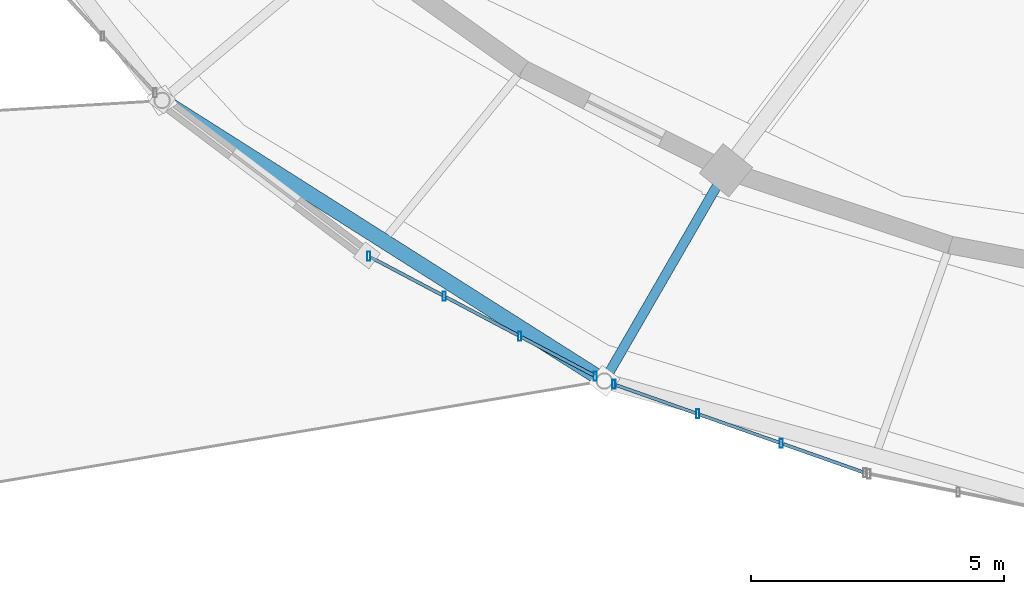
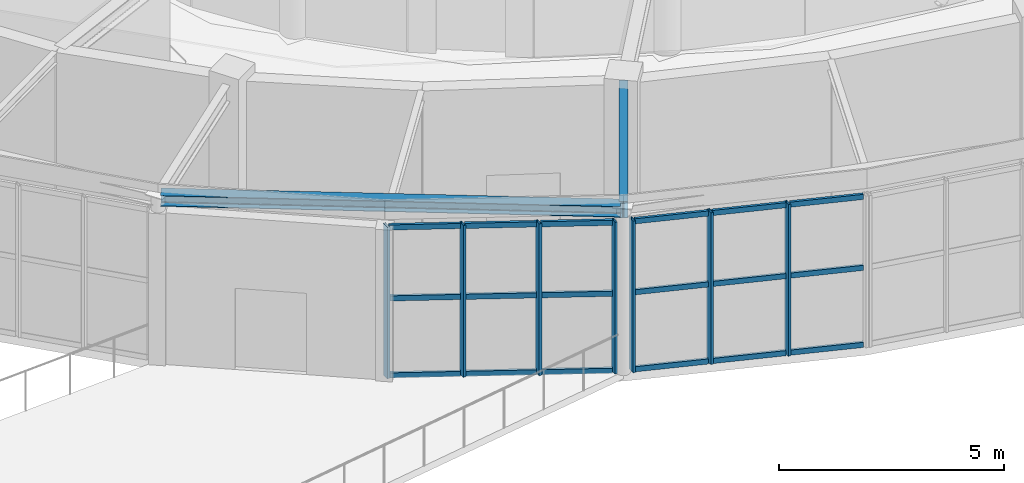
# One storey, part 27 of 108: 25 members, 2 beams, 2 elements without a shape of their own.
"""IFC4 building model written with IfcOpenShell, lengths in metres."""

from ifc_helpers import new_model, si_unit, direction, frame, origin, origin_2d, place, context, subcontext, project, spatial, hollow_rectangle, i_section, extrude, material, material_profile, profile_set, type_object, element, aggregate, save


model = new_model("IFC4")

# Units and contexts
model_context = context("Model", 3, precision=1e-05, world=origin(), true_north=direction((0.0, 1.0)))
body_context = subcontext(model_context, "Body", "Model", "MODEL_VIEW")
ifc_project = project(units=[si_unit("LENGTHUNIT", "METRE"), si_unit("AREAUNIT", "SQUARE_METRE"), si_unit("VOLUMEUNIT", "CUBIC_METRE"), si_unit("PLANEANGLEUNIT", "RADIAN"), si_unit("MASSUNIT", "GRAM", prefix="KILO")], contexts=[model_context])

# Site, building, storey
site_placement = place(None, origin())
site = spatial("IfcSite", under=ifc_project, at=site_placement, CompositionType="ELEMENT")
building_placement = place(site_placement, origin())
building = spatial("IfcBuilding", under=site, at=building_placement, Name="Tarnveldt Headland Concert Hall", CompositionType="ELEMENT")
storey_placement = place(building_placement, frame((0.0, 0.0, 9.60009765625)))
storey = spatial("IfcBuildingStorey", under=building, at=storey_placement, Name="L02", CompositionType="ELEMENT", Elevation=9.60009765625)

# Curtain wall, members
ifc_material_1 = material(Name="Marine-anodised aluminium EN AW-6063-T6", Category="aluminium")
curtain_wall_type = type_object("IfcCurtainWallType", Name="CW-F3", PredefinedType="NOTDEFINED", material=ifc_material_1)
curtain_wall_1_placement = place(storey_placement, origin())
curtain_wall_1 = element("IfcCurtainWall", 1, at=curtain_wall_1_placement, inside=storey, type_object=curtain_wall_type, Name="Curtain wall CW-L02-082", PredefinedType="NOTDEFINED")
ifc_material_profile_1 = material_profile(ifc_material_1, hollow_rectangle(XDim=0.06494140625, YDim=0.179931640625, WallThickness=0.00390625, at=origin_2d()), Name="ALU MULLION 65x180x4", Category="aluminium")
ifc_profile_set_1 = profile_set([ifc_material_profile_1], Name="Marine-anodised aluminium EN AW-6063-T6")
member_type_1 = type_object("IfcMemberType", Name="ML-180", PredefinedType="MULLION", material=ifc_profile_set_1)
member_1_placement = place(storey_placement, frame((62.451904296875, 35.4833984375, 0.0), z_axis=(0.0, 0.0, 1.0), x_axis=(1.0, 0.0, 0.0)))
member_1 = element("IfcMember", 2, at=member_1_placement, type_object=member_type_1, Name="Mullion CW-L02-082-1", PredefinedType="MULLION", context=body_context, shape_type="SweptSolid", body=[
    extrude(hollow_rectangle(XDim=0.06494140625, YDim=0.179931640625, WallThickness=0.00390625, at=origin_2d()), origin(), (0.0, 0.0, 1.0), 4.10791015625),
])
member_2_placement = place(storey_placement, frame((63.94189453125, 34.694580078125, 0.0), z_axis=(0.0, 0.0, 1.0), x_axis=(1.0, 0.0, 0.0)))
member_2 = element("IfcMember", 3, at=member_2_placement, type_object=member_type_1, Name="Mullion CW-L02-082-2", PredefinedType="MULLION", context=body_context, shape_type="SweptSolid", body=[
    extrude(hollow_rectangle(XDim=0.06494140625, YDim=0.179931640625, WallThickness=0.00390625, at=origin_2d()), origin(), (0.0, 0.0, 1.0), 4.10791015625),
])
member_3_placement = place(storey_placement, frame((65.431640625, 33.906005859375, 0.0), z_axis=(0.0, 0.0, 1.0), x_axis=(1.0, 0.0, 0.0)))
member_3 = element("IfcMember", 4, at=member_3_placement, type_object=member_type_1, Name="Mullion CW-L02-082-3", PredefinedType="MULLION", context=body_context, shape_type="SweptSolid", body=[
    extrude(hollow_rectangle(XDim=0.06494140625, YDim=0.179931640625, WallThickness=0.00390625, at=origin_2d()), origin(), (0.0, 0.0, 1.0), 4.10791015625),
])
member_4_placement = place(storey_placement, frame((66.92138671875, 33.1171875, 0.0), z_axis=(0.0, 0.0, 1.0), x_axis=(1.0, 0.0, 0.0)))
member_4 = element("IfcMember", 5, at=member_4_placement, type_object=member_type_1, Name="Mullion CW-L02-082-4", PredefinedType="MULLION", context=body_context, shape_type="SweptSolid", body=[
    extrude(hollow_rectangle(XDim=0.06494140625, YDim=0.179931640625, WallThickness=0.00390625, at=origin_2d()), origin(), (0.0, 0.0, 1.0), 4.10791015625),
])

curtain_wall_2_placement = place(storey_placement, origin())
curtain_wall_2 = element("IfcCurtainWall", 6, at=curtain_wall_2_placement, inside=storey, type_object=curtain_wall_type, Name="Curtain wall CW-L02-083", PredefinedType="NOTDEFINED")
member_5_placement = place(storey_placement, frame((67.29052734375, 32.955322265625, 0.0), z_axis=(0.0, 0.0, 1.0), x_axis=(1.0, 0.0, 0.0)))
member_5 = element("IfcMember", 7, at=member_5_placement, type_object=member_type_1, Name="Mullion CW-L02-083-1", PredefinedType="MULLION", context=body_context, shape_type="SweptSolid", body=[
    extrude(hollow_rectangle(XDim=0.06494140625, YDim=0.179931640625, WallThickness=0.00390625, at=origin_2d()), origin(), (0.0, 0.0, 1.0), 4.10791015625),
])
member_6_placement = place(storey_placement, frame((68.941650390625, 32.373291015625, 0.0), z_axis=(0.0, 0.0, 1.0), x_axis=(1.0, 0.0, 0.0)))
member_6 = element("IfcMember", 8, at=member_6_placement, type_object=member_type_1, Name="Mullion CW-L02-083-2", PredefinedType="MULLION", context=body_context, shape_type="SweptSolid", body=[
    extrude(hollow_rectangle(XDim=0.06494140625, YDim=0.179931640625, WallThickness=0.00390625, at=origin_2d()), origin(), (0.0, 0.0, 1.0), 4.10791015625),
])
member_7_placement = place(storey_placement, frame((70.5927734375, 31.791015625, 0.0), z_axis=(0.0, 0.0, 1.0), x_axis=(1.0, 0.0, 0.0)))
member_7 = element("IfcMember", 9, at=member_7_placement, type_object=member_type_1, Name="Mullion CW-L02-083-3", PredefinedType="MULLION", context=body_context, shape_type="SweptSolid", body=[
    extrude(hollow_rectangle(XDim=0.06494140625, YDim=0.179931640625, WallThickness=0.00390625, at=origin_2d()), origin(), (0.0, 0.0, 1.0), 4.10791015625),
])

# Beams
ifc_material_2 = material(Name="Steel S355", Category="steel")
ifc_material_profile_2 = material_profile(ifc_material_2, i_section(OverallWidth=0.300048828125, OverallDepth=0.2900390625, WebThickness=0.008544921875, FlangeThickness=0.013916015625, FilletRadius=0.027099609375, at=origin_2d()), Name="HEA300", Category="steel")
ifc_profile_set_2 = profile_set([ifc_material_profile_2], Name="Steel S355")
beam_type_1 = type_object("IfcBeamType", Name="SB-HEA300", PredefinedType="SPANDREL", material=ifc_profile_set_2)
beam_1_placement = place(storey_placement, frame((58.42431640625, 38.52685546875, 4.4248046875), z_axis=(0.844390967344, -0.535727444012, 0.0), x_axis=(0.535727444012, 0.844390967344, 0.0)))
element("IfcBeam", 10, at=beam_1_placement, inside=storey, type_object=beam_type_1, Name="Framing beam L02-1028", PredefinedType="SPANDREL", context=body_context, shape_type="SweptSolid", body=[
    extrude(i_section(OverallWidth=0.300048828125, OverallDepth=0.2900390625, WebThickness=0.008544921875, FlangeThickness=0.013916015625, FilletRadius=0.027099609375, at=origin_2d()), origin(), (0.0, 0.0, 1.0), 10.21435546875),
])
ifc_material_profile_3 = material_profile(ifc_material_2, i_section(OverallWidth=0.18994140625, OverallDepth=0.449951171875, WebThickness=0.009521484375, FlangeThickness=0.0146484375, FilletRadius=0.02099609375, at=origin_2d()), Name="IPE450", Category="steel")
ifc_profile_set_3 = profile_set([ifc_material_profile_3], Name="Steel S355")
beam_type_2 = type_object("IfcBeamType", Name="SB-IPE450", PredefinedType="BEAM", material=ifc_profile_set_3)
beam_2_placement = place(storey_placement, frame((69.47998046875, 37.14501953125, 4.344970703125), z_axis=(-0.500016218704, -0.866016039709, 0.0), x_axis=(0.866016039709, -0.500016218704, 0.0)))
element("IfcBeam", 11, at=beam_2_placement, inside=storey, type_object=beam_type_2, Name="Framing beam L02-1032", PredefinedType="BEAM", context=body_context, shape_type="SweptSolid", body=[
    extrude(i_section(OverallWidth=0.18994140625, OverallDepth=0.449951171875, WebThickness=0.009521484375, FlangeThickness=0.0146484375, FilletRadius=0.02099609375, at=origin_2d()), origin(), (0.0, 0.0, 1.0), 4.699951171875),
])

# Member
ifc_material_profile_4 = material_profile(ifc_material_1, hollow_rectangle(XDim=0.06494140625, YDim=0.139892578125, WallThickness=0.00390625, at=origin_2d()), Name="ALU TRANSOM 65x140x4", Category="aluminium")
ifc_profile_set_4 = profile_set([ifc_material_profile_4], Name="Marine-anodised aluminium EN AW-6063-T6")
member_type_2 = type_object("IfcMemberType", Name="TR-140", PredefinedType="MEMBER", material=ifc_profile_set_4)
member_8_placement = place(storey_placement, frame((62.4912109375, 35.462646484375, 0.0498046875), z_axis=(0.883821383247, -0.467824499695, 0.0), x_axis=(0.467824499695, 0.883821383247, 0.0)))
member_8 = element("IfcMember", 12, at=member_8_placement, type_object=member_type_2, Name="Transom CW-L02-082-1-1", PredefinedType="MEMBER", context=body_context, shape_type="SweptSolid", body=[
    extrude(hollow_rectangle(XDim=0.06494140625, YDim=0.139892578125, WallThickness=0.00390625, at=origin_2d()), origin(), (0.0, 0.0, 1.0), 1.596923828125),
])

member_9_placement = place(storey_placement, frame((62.4912109375, 35.462646484375, 2.135986328125), z_axis=(0.883821383247, -0.467824499695, 0.0), x_axis=(0.467824499695, 0.883821383247, 0.0)))
member_9 = element("IfcMember", 13, at=member_9_placement, type_object=member_type_2, Name="Transom CW-L02-082-1-2", PredefinedType="MEMBER", context=body_context, shape_type="SweptSolid", body=[
    extrude(hollow_rectangle(XDim=0.06494140625, YDim=0.139892578125, WallThickness=0.00390625, at=origin_2d()), origin(), (0.0, 0.0, 1.0), 1.596923828125),
])

member_10_placement = place(storey_placement, frame((62.4912109375, 35.462646484375, 4.057861328125), z_axis=(0.883821383247, -0.467824499695, 0.0), x_axis=(0.467824499695, 0.883821383247, 0.0)))
member_10 = element("IfcMember", 14, at=member_10_placement, type_object=member_type_2, Name="Transom CW-L02-082-1-3", PredefinedType="MEMBER", context=body_context, shape_type="SweptSolid", body=[
    extrude(hollow_rectangle(XDim=0.06494140625, YDim=0.139892578125, WallThickness=0.00390625, at=origin_2d()), origin(), (0.0, 0.0, 1.0), 1.596923828125),
])

member_11_placement = place(storey_placement, frame((63.981201171875, 34.673828125, 0.0498046875), z_axis=(0.883787916347, -0.467887720419, 0.0), x_axis=(0.467887720419, 0.883787916347, 0.0)))
member_11 = element("IfcMember", 15, at=member_11_placement, type_object=member_type_2, Name="Transom CW-L02-082-2-1", PredefinedType="MEMBER", context=body_context, shape_type="SweptSolid", body=[
    extrude(hollow_rectangle(XDim=0.06494140625, YDim=0.139892578125, WallThickness=0.00390625, at=origin_2d()), origin(), (0.0, 0.0, 1.0), 1.5966796875),
])

member_12_placement = place(storey_placement, frame((63.981201171875, 34.673828125, 2.135986328125), z_axis=(0.883787916347, -0.467887720419, 0.0), x_axis=(0.467887720419, 0.883787916347, 0.0)))
member_12 = element("IfcMember", 16, at=member_12_placement, type_object=member_type_2, Name="Transom CW-L02-082-2-2", PredefinedType="MEMBER", context=body_context, shape_type="SweptSolid", body=[
    extrude(hollow_rectangle(XDim=0.06494140625, YDim=0.139892578125, WallThickness=0.00390625, at=origin_2d()), origin(), (0.0, 0.0, 1.0), 1.5966796875),
])

member_13_placement = place(storey_placement, frame((63.981201171875, 34.673828125, 4.057861328125), z_axis=(0.883787916347, -0.467887720419, 0.0), x_axis=(0.467887720419, 0.883787916347, 0.0)))
member_13 = element("IfcMember", 17, at=member_13_placement, type_object=member_type_2, Name="Transom CW-L02-082-2-3", PredefinedType="MEMBER", context=body_context, shape_type="SweptSolid", body=[
    extrude(hollow_rectangle(XDim=0.06494140625, YDim=0.139892578125, WallThickness=0.00390625, at=origin_2d()), origin(), (0.0, 0.0, 1.0), 1.5966796875),
])

member_14_placement = place(storey_placement, frame((65.470947265625, 33.885009765625, 0.0498046875), z_axis=(0.883787916347, -0.467887720419, 0.0), x_axis=(0.467887720419, 0.883787916347, 0.0)))
member_14 = element("IfcMember", 18, at=member_14_placement, type_object=member_type_2, Name="Transom CW-L02-082-3-1", PredefinedType="MEMBER", context=body_context, shape_type="SweptSolid", body=[
    extrude(hollow_rectangle(XDim=0.06494140625, YDim=0.139892578125, WallThickness=0.00390625, at=origin_2d()), origin(), (0.0, 0.0, 1.0), 1.5966796875),
])

member_15_placement = place(storey_placement, frame((65.470947265625, 33.885009765625, 2.135986328125), z_axis=(0.883787916347, -0.467887720419, 0.0), x_axis=(0.467887720419, 0.883787916347, 0.0)))
member_15 = element("IfcMember", 19, at=member_15_placement, type_object=member_type_2, Name="Transom CW-L02-082-3-2", PredefinedType="MEMBER", context=body_context, shape_type="SweptSolid", body=[
    extrude(hollow_rectangle(XDim=0.06494140625, YDim=0.139892578125, WallThickness=0.00390625, at=origin_2d()), origin(), (0.0, 0.0, 1.0), 1.5966796875),
])

member_16_placement = place(storey_placement, frame((65.470947265625, 33.885009765625, 4.057861328125), z_axis=(0.883787916347, -0.467887720419, 0.0), x_axis=(0.467887720419, 0.883787916347, 0.0)))
member_16 = element("IfcMember", 20, at=member_16_placement, type_object=member_type_2, Name="Transom CW-L02-082-3-3", PredefinedType="MEMBER", context=body_context, shape_type="SweptSolid", body=[
    extrude(hollow_rectangle(XDim=0.06494140625, YDim=0.139892578125, WallThickness=0.00390625, at=origin_2d()), origin(), (0.0, 0.0, 1.0), 1.5966796875),
])

aggregate(curtain_wall_1, [member_1, member_2, member_3, member_4, member_8, member_9, member_10, member_11, member_12, member_13, member_14, member_15, member_16])

member_17_placement = place(storey_placement, frame((67.33251953125, 32.940673828125, 0.0498046875), z_axis=(0.94306083262, -0.332620303015, 0.0), x_axis=(0.332620303015, 0.94306083262, 0.0)))
member_17 = element("IfcMember", 21, at=member_17_placement, type_object=member_type_2, Name="Transom CW-L02-083-1-1", PredefinedType="MEMBER", context=body_context, shape_type="SweptSolid", body=[
    extrude(hollow_rectangle(XDim=0.06494140625, YDim=0.139892578125, WallThickness=0.00390625, at=origin_2d()), origin(), (0.0, 0.0, 1.0), 1.661865234375),
])

member_18_placement = place(storey_placement, frame((67.33251953125, 32.940673828125, 2.135986328125), z_axis=(0.94306083262, -0.332620303015, 0.0), x_axis=(0.332620303015, 0.94306083262, 0.0)))
member_18 = element("IfcMember", 22, at=member_18_placement, type_object=member_type_2, Name="Transom CW-L02-083-1-2", PredefinedType="MEMBER", context=body_context, shape_type="SweptSolid", body=[
    extrude(hollow_rectangle(XDim=0.06494140625, YDim=0.139892578125, WallThickness=0.00390625, at=origin_2d()), origin(), (0.0, 0.0, 1.0), 1.661865234375),
])

member_19_placement = place(storey_placement, frame((67.33251953125, 32.940673828125, 4.057861328125), z_axis=(0.94306083262, -0.332620303015, 0.0), x_axis=(0.332620303015, 0.94306083262, 0.0)))
member_19 = element("IfcMember", 23, at=member_19_placement, type_object=member_type_2, Name="Transom CW-L02-083-1-3", PredefinedType="MEMBER", context=body_context, shape_type="SweptSolid", body=[
    extrude(hollow_rectangle(XDim=0.06494140625, YDim=0.139892578125, WallThickness=0.00390625, at=origin_2d()), origin(), (0.0, 0.0, 1.0), 1.661865234375),
])

member_20_placement = place(storey_placement, frame((68.983642578125, 32.3583984375, 0.0498046875), z_axis=(0.943106910947, -0.332489630702, 0.0), x_axis=(0.332489630702, 0.943106910947, 0.0)))
member_20 = element("IfcMember", 24, at=member_20_placement, type_object=member_type_2, Name="Transom CW-L02-083-2-1", PredefinedType="MEMBER", context=body_context, shape_type="SweptSolid", body=[
    extrude(hollow_rectangle(XDim=0.06494140625, YDim=0.139892578125, WallThickness=0.00390625, at=origin_2d()), origin(), (0.0, 0.0, 1.0), 1.66162109375),
])

member_21_placement = place(storey_placement, frame((68.983642578125, 32.3583984375, 2.135986328125), z_axis=(0.943106910947, -0.332489630702, 0.0), x_axis=(0.332489630702, 0.943106910947, 0.0)))
member_21 = element("IfcMember", 25, at=member_21_placement, type_object=member_type_2, Name="Transom CW-L02-083-2-2", PredefinedType="MEMBER", context=body_context, shape_type="SweptSolid", body=[
    extrude(hollow_rectangle(XDim=0.06494140625, YDim=0.139892578125, WallThickness=0.00390625, at=origin_2d()), origin(), (0.0, 0.0, 1.0), 1.66162109375),
])

member_22_placement = place(storey_placement, frame((68.983642578125, 32.3583984375, 4.057861328125), z_axis=(0.943106910947, -0.332489630702, 0.0), x_axis=(0.332489630702, 0.943106910947, 0.0)))
member_22 = element("IfcMember", 26, at=member_22_placement, type_object=member_type_2, Name="Transom CW-L02-083-2-3", PredefinedType="MEMBER", context=body_context, shape_type="SweptSolid", body=[
    extrude(hollow_rectangle(XDim=0.06494140625, YDim=0.139892578125, WallThickness=0.00390625, at=origin_2d()), origin(), (0.0, 0.0, 1.0), 1.66162109375),
])

member_23_placement = place(storey_placement, frame((70.634765625, 31.7763671875, 0.0498046875), z_axis=(0.94306083262, -0.332620303015, 0.0), x_axis=(0.332620303015, 0.94306083262, 0.0)))
member_23 = element("IfcMember", 27, at=member_23_placement, type_object=member_type_2, Name="Transom CW-L02-083-3-1", PredefinedType="MEMBER", context=body_context, shape_type="SweptSolid", body=[
    extrude(hollow_rectangle(XDim=0.06494140625, YDim=0.139892578125, WallThickness=0.00390625, at=origin_2d()), origin(), (0.0, 0.0, 1.0), 1.661865234375),
])

member_24_placement = place(storey_placement, frame((70.634765625, 31.7763671875, 2.135986328125), z_axis=(0.94306083262, -0.332620303015, 0.0), x_axis=(0.332620303015, 0.94306083262, 0.0)))
member_24 = element("IfcMember", 28, at=member_24_placement, type_object=member_type_2, Name="Transom CW-L02-083-3-2", PredefinedType="MEMBER", context=body_context, shape_type="SweptSolid", body=[
    extrude(hollow_rectangle(XDim=0.06494140625, YDim=0.139892578125, WallThickness=0.00390625, at=origin_2d()), origin(), (0.0, 0.0, 1.0), 1.661865234375),
])

member_25_placement = place(storey_placement, frame((70.634765625, 31.7763671875, 4.057861328125), z_axis=(0.94306083262, -0.332620303015, 0.0), x_axis=(0.332620303015, 0.94306083262, 0.0)))
member_25 = element("IfcMember", 29, at=member_25_placement, type_object=member_type_2, Name="Transom CW-L02-083-3-3", PredefinedType="MEMBER", context=body_context, shape_type="SweptSolid", body=[
    extrude(hollow_rectangle(XDim=0.06494140625, YDim=0.139892578125, WallThickness=0.00390625, at=origin_2d()), origin(), (0.0, 0.0, 1.0), 1.661865234375),
])

aggregate(curtain_wall_2, [member_5, member_6, member_7, member_17, member_18, member_19, member_20, member_21, member_22, member_23, member_24, member_25])

save(model, "model.ifc")
